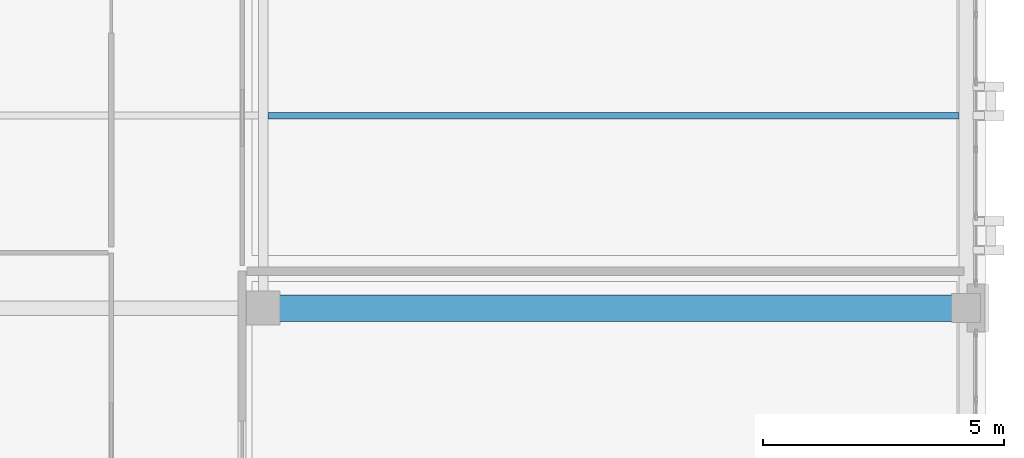
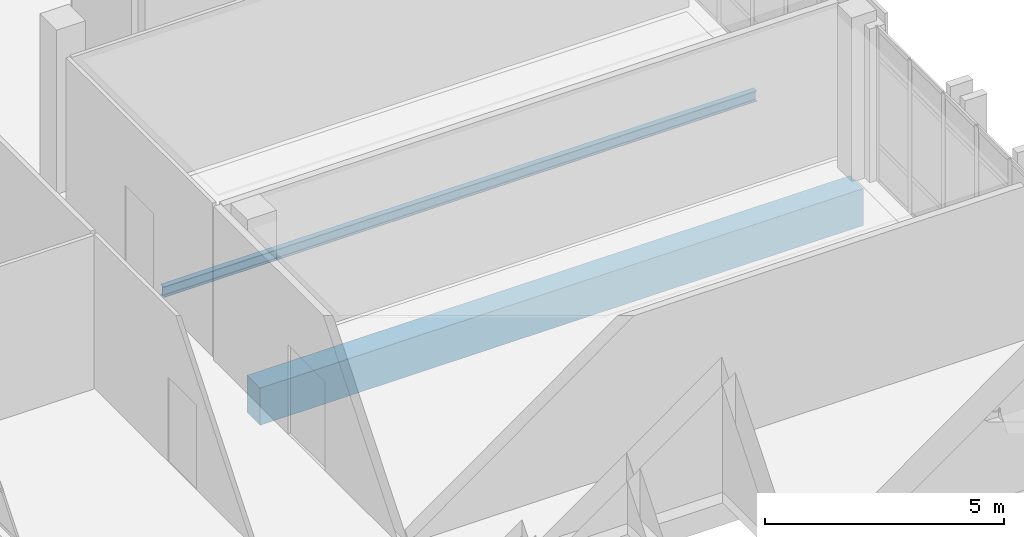
# One storey, part 25 of 90: 2 beams.
"""IFC4 building model written with IfcOpenShell, lengths in metres."""

from ifc_helpers import new_model, si_unit, direction, frame, origin, origin_2d, place, context, subcontext, project, spatial, rectangle, i_section, extrude, material, material_profile, profile_set, type_object, element, save


model = new_model("IFC4")

# Units and contexts
model_context = context("Model", 3, precision=1e-05, world=origin(), true_north=direction((0.0, 1.0)))
body_context = subcontext(model_context, "Body", "Model", "MODEL_VIEW")
ifc_project = project(units=[si_unit("LENGTHUNIT", "METRE"), si_unit("AREAUNIT", "SQUARE_METRE"), si_unit("VOLUMEUNIT", "CUBIC_METRE"), si_unit("PLANEANGLEUNIT", "RADIAN"), si_unit("MASSUNIT", "GRAM", prefix="KILO")], contexts=[model_context])

# Site, building, storey
site_placement = place(None, origin())
site = spatial("IfcSite", under=ifc_project, at=site_placement, CompositionType="ELEMENT")
building_placement = place(site_placement, origin())
building = spatial("IfcBuilding", under=site, at=building_placement, Name="Qalavern Law Courts", CompositionType="ELEMENT")
storey_placement = place(building_placement, frame((0.0, 0.0, 22.800048828125)))
storey = spatial("IfcBuildingStorey", under=building, at=storey_placement, Name="L05", CompositionType="ELEMENT", Elevation=22.800048828125)

# Beams
ifc_material_1 = material(Name="Concrete C40/50", Category="concrete")
ifc_material_profile_1 = material_profile(ifc_material_1, rectangle(XDim=0.550048828125, YDim=0.949951171875, at=origin_2d()), Name="RC 550x950")
ifc_profile_set_1 = profile_set([ifc_material_profile_1], Name="Concrete C40/50")
beam_type_1 = type_object("IfcBeamType", Name="STR-BM-RC550x950", PredefinedType="BEAM", material=ifc_profile_set_1)
beam_1_placement = place(storey_placement, frame((91.800048828125, 57.39990234375, -0.75), z_axis=(1.0, 0.0, 0.0), x_axis=(0.0, 1.0, 0.0)))
element("IfcBeam", 1, at=beam_1_placement, inside=storey, type_object=beam_type_1, Name="V4 X-beam 3-2 L05", PredefinedType="BEAM", context=body_context, shape_type="SweptSolid", body=[
    extrude(rectangle(XDim=0.550048828125, YDim=0.949951171875, at=origin_2d()), origin(), (0.0, 0.0, 1.0), 14.599853515625),
])
ifc_material_2 = material(Name="Steel S355", Category="steel")
ifc_material_profile_2 = material_profile(ifc_material_2, i_section(OverallWidth=0.135009765625, OverallDepth=0.27001953125, WebThickness=0.006591796875, FlangeThickness=0.01025390625, FilletRadius=0.014892578125, at=origin_2d()), Name="IPE 270")
ifc_profile_set_2 = profile_set([ifc_material_profile_2], Name="Steel S355")
beam_type_2 = type_object("IfcBeamType", Name="STR-JST-IPE270", PredefinedType="JOIST", material=ifc_profile_set_2)
beam_2_placement = place(storey_placement, frame((91.89794921875, 61.39990234375, -0.41015625), z_axis=(1.0, 0.0, 0.0), x_axis=(0.0, 1.0, 0.0)))
element("IfcBeam", 2, at=beam_2_placement, inside=storey, type_object=beam_type_2, Name="V4 secondary joist 2.3.1 L05", PredefinedType="JOIST", context=body_context, shape_type="SweptSolid", body=[
    extrude(i_section(OverallWidth=0.135009765625, OverallDepth=0.27001953125, WebThickness=0.006591796875, FlangeThickness=0.01025390625, FilletRadius=0.014892578125, at=origin_2d()), origin(), (0.0, 0.0, 1.0), 14.35400390625),
])

save(model, "model.ifc")
